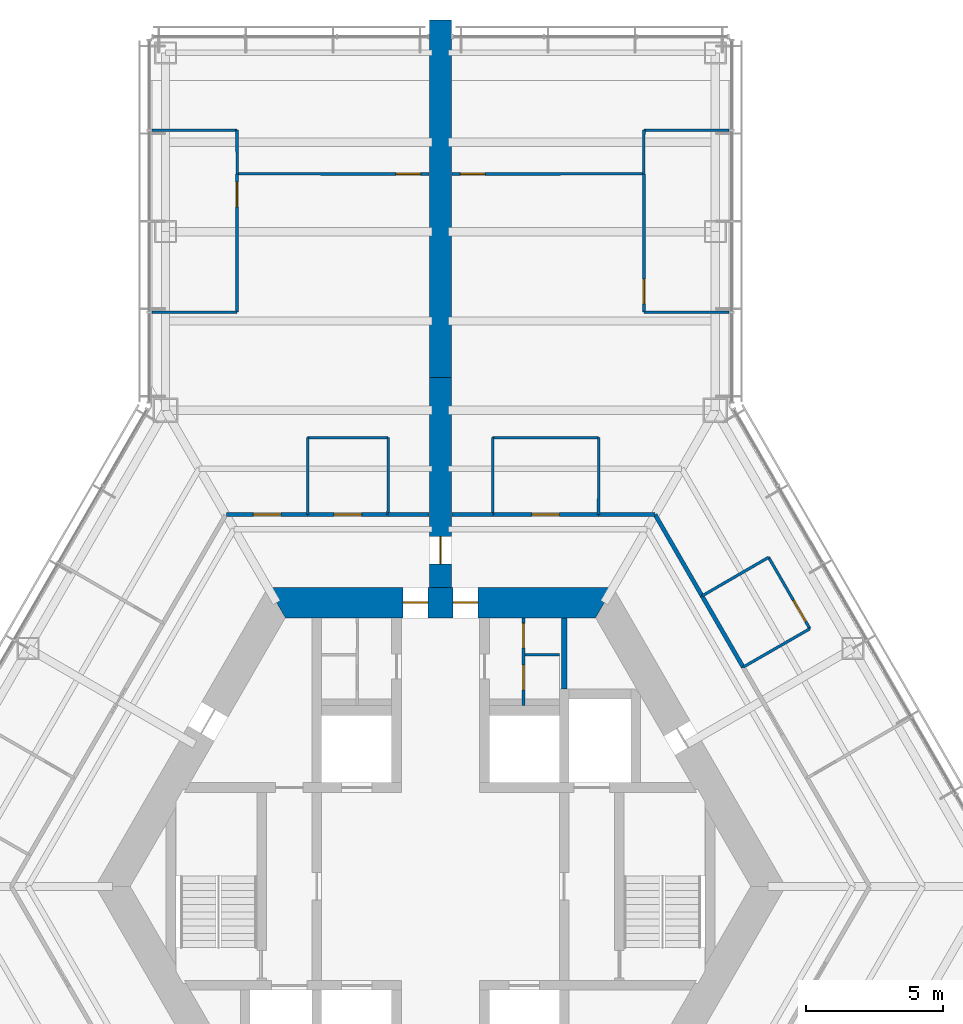
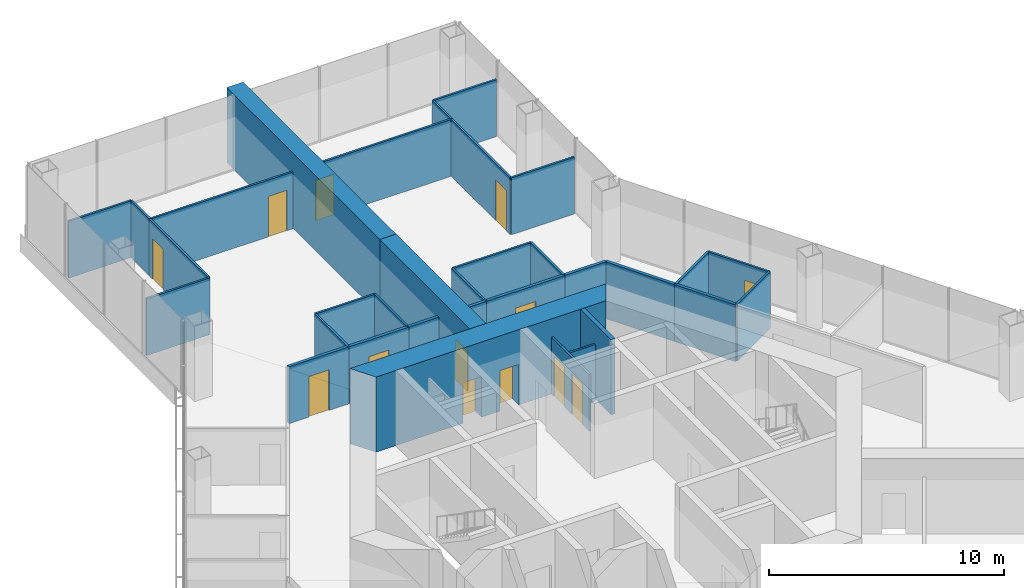
# One storey, part 15 of 18: 33 walls, 13 doors, 13 openings.
"""IFC4 building model written with IfcOpenShell, lengths in metres."""

from ifc_helpers import new_model, si_unit, direction, frame, frame_2d, origin, place, context, subcontext, project, spatial, polyline, rectangle, outline, extrude, material, layer, layer_set, type_object, element, fill, save


model = new_model("IFC4")

# Units and contexts
model_context = context("Model", 3, precision=1e-05, world=origin(), true_north=direction((0.0, 1.0)))
body_context = subcontext(model_context, "Body", "Model", "MODEL_VIEW")
ifc_project = project(units=[si_unit("LENGTHUNIT", "METRE"), si_unit("AREAUNIT", "SQUARE_METRE"), si_unit("VOLUMEUNIT", "CUBIC_METRE"), si_unit("PLANEANGLEUNIT", "RADIAN"), si_unit("MASSUNIT", "GRAM", prefix="KILO")], contexts=[model_context])

# Site, building, storey
site_placement = place(None, origin())
site = spatial("IfcSite", under=ifc_project, at=site_placement, CompositionType="ELEMENT")
building_placement = place(site_placement, origin())
building = spatial("IfcBuilding", under=site, at=building_placement, Name="Kasaneha Research Tower", CompositionType="ELEMENT")
storey_placement = place(building_placement, frame((0.0, 0.0, 115.800048828125)))
storey = spatial("IfcBuildingStorey", under=building, at=storey_placement, Name="L29", CompositionType="ELEMENT", Elevation=115.800048828125)

# Wall, openings, doors
ifc_material_1 = material(Name="Concrete Fc80", Category="concrete")
ifc_layer_1 = layer(ifc_material_1, 1.10009765625)
ifc_layer_set_1 = layer_set([ifc_layer_1], Name="Core wall 1100 Fc80")
wall_type_1 = type_object("IfcWallType", Name="Core wall 1100 Fc80", PredefinedType="SHEAR", material=ifc_layer_set_1)
wall_1_placement = place(storey_placement, frame((5.961181640625, 10.324951171875, 0.0), z_axis=(0.0, 0.0, 1.0), x_axis=(-1.0, 0.0, 0.0)))
wall_1 = element("IfcWall", 1, at=wall_1_placement, inside=storey, type_object=wall_type_1, Name="Core wall 090 L29", PredefinedType="SHEAR", context=body_context, shape_type="SweptSolid", body=[
    extrude(outline(polyline([(-0.317626953125, -0.550048828125), (4.5986328125, -0.550048828125), (5.49853515625, -0.550048828125), (6.423583984375, -0.550048828125), (7.323486328125, -0.550048828125), (12.239990234375, -0.550048828125), (11.604736328125, 0.550048828125), (7.323486328125, 0.550048828125), (6.423583984375, 0.550048828125), (5.49853515625, 0.550048828125), (4.5986328125, 0.550048828125), (0.317626953125, 0.550048828125), (-0.317626953125, -0.550048828125)])), origin(), (0.0, 0.0, 1.0), 3.89990234375),
])
opening_1_placement = place(wall_1_placement, frame((6.423583984375, 0.0, 0.0)))
opening_1 = element("IfcOpeningElement", 2, at=opening_1_placement, cuts=wall_1, Name="Opening L29-D01", PredefinedType="OPENING", context=body_context, shape_type="SweptSolid", body=[
    extrude(rectangle(XDim=0.89990234375, YDim=2.10009765625, at=frame_2d((0.449951171875, 1.050048828125))), frame((0.0, 0.56005859375, 0.0), z_axis=(0.0, -1.0, 0.0), x_axis=(1.0, 0.0, 0.0)), (0.0, 0.0, 1.0), 1.1201171875),
])
opening_2_placement = place(wall_1_placement, frame((4.5986328125, 0.0, 0.0)))
opening_2 = element("IfcOpeningElement", 3, at=opening_2_placement, cuts=wall_1, Name="Opening L29-D02", PredefinedType="OPENING", context=body_context, shape_type="SweptSolid", body=[
    extrude(rectangle(XDim=0.89990234375, YDim=2.10009765625, at=frame_2d((0.449951171875, 1.050048828125))), frame((0.0, 0.56005859375, 0.0), z_axis=(0.0, -1.0, 0.0), x_axis=(1.0, 0.0, 0.0)), (0.0, 0.0, 1.0), 1.1201171875),
])
ifc_material_2 = material(Name="Steel", Category="steel")
door_type_1 = type_object("IfcDoorType", Name="Toilet door FD20 900x2100", OperationType="NOTDEFINED", PredefinedType="DOOR", material=ifc_material_2)
door_1_placement = place(opening_1_placement, origin())
door_1 = element("IfcDoor", 4, at=door_1_placement, inside=storey, type_object=door_type_1, Name="Core door north 1 L29-D01", OperationType="SINGLE_SWING_RIGHT", OverallHeight=2.10009765625, OverallWidth=0.89990234375, PredefinedType="DOOR", context=body_context, shape_type="SweptSolid", body=[
    extrude(rectangle(XDim=0.89990234375, YDim=2.10009765625, at=frame_2d((0.449951171875, 1.050048828125))), frame((0.0, 0.02490234375, 0.0), z_axis=(0.0, -1.0, 0.0), x_axis=(1.0, 0.0, 0.0)), (0.0, 0.0, 1.0), 0.050048828125),
])
fill(opening_1, door_1)
door_2_placement = place(opening_2_placement, origin())
door_2 = element("IfcDoor", 5, at=door_2_placement, inside=storey, type_object=door_type_1, Name="Core door north 2 L29-D02", OperationType="SINGLE_SWING_LEFT", OverallHeight=2.10009765625, OverallWidth=0.89990234375, PredefinedType="DOOR", context=body_context, shape_type="SweptSolid", body=[
    extrude(rectangle(XDim=0.89990234375, YDim=2.10009765625, at=frame_2d((0.449951171875, 1.050048828125))), frame((0.0, 0.02490234375, 0.0), z_axis=(0.0, -1.0, 0.0), x_axis=(1.0, 0.0, 0.0)), (0.0, 0.0, 1.0), 0.050048828125),
])
fill(opening_2, door_2)

ifc_material_3 = material(Name="Gypsum board on steel studs, one layer each side", Category="steel")
ifc_layer_2 = layer(ifc_material_3, 0.10009765625)
ifc_layer_set_2 = layer_set([ifc_layer_2], Name="Office partition 100")
wall_type_2 = type_object("IfcWallType", Name="Office partition 100", PredefinedType="PARTITIONING", material=ifc_layer_set_2)
wall_2_placement = place(storey_placement, frame((3.02490234375, 6.574951171875, 0.0), z_axis=(0.0, 0.0, 1.0), x_axis=(0.0, 1.0, 0.0)))
wall_2 = element("IfcWall", 6, at=wall_2_placement, inside=storey, type_object=wall_type_2, Name="Office partition TBF1 L29", PredefinedType="PARTITIONING", context=body_context, shape_type="SweptSolid", body=[
    extrude(rectangle(XDim=3.199951171875, YDim=0.10009765625, at=frame_2d((1.60009765625, 0.0))), origin(), (0.0, 0.0, 1.0), 2.949951171875),
])
opening_3_placement = place(wall_2_placement, frame((0.574951171875, 0.0, 0.0)))
opening_3 = element("IfcOpeningElement", 7, at=opening_3_placement, cuts=wall_2, Name="Opening L29-D22", PredefinedType="OPENING", context=body_context, shape_type="SweptSolid", body=[
    extrude(rectangle(XDim=0.89990234375, YDim=2.10009765625, at=frame_2d((0.449951171875, 1.050048828125))), frame((0.0, 0.06005859375, 0.0), z_axis=(0.0, -1.0, 0.0), x_axis=(1.0, 0.0, 0.0)), (0.0, 0.0, 1.0), 0.1201171875),
])
opening_4_placement = place(wall_2_placement, frame((2.10009765625, 0.0, 0.0)))
opening_4 = element("IfcOpeningElement", 8, at=opening_4_placement, cuts=wall_2, Name="Opening L29-D23", PredefinedType="OPENING", context=body_context, shape_type="SweptSolid", body=[
    extrude(rectangle(XDim=0.89990234375, YDim=2.10009765625, at=frame_2d((0.449951171875, 1.050048828125))), frame((0.0, 0.06005859375, 0.0), z_axis=(0.0, -1.0, 0.0), x_axis=(1.0, 0.0, 0.0)), (0.0, 0.0, 1.0), 0.1201171875),
])
ifc_material_4 = material(Name="Steel", Category="steel")
door_type_2 = type_object("IfcDoorType", Name="Toilet lobby door FD30 900x2100", OperationType="NOTDEFINED", PredefinedType="DOOR", material=ifc_material_4)
door_3_placement = place(opening_3_placement, origin())
door_3 = element("IfcDoor", 9, at=door_3_placement, inside=storey, type_object=door_type_2, Name="Women's WC door L29-D22", OperationType="SINGLE_SWING_RIGHT", OverallHeight=2.10009765625, OverallWidth=0.89990234375, PredefinedType="DOOR", context=body_context, shape_type="SweptSolid", body=[
    extrude(rectangle(XDim=0.89990234375, YDim=2.10009765625, at=frame_2d((0.449951171875, 1.050048828125))), frame((0.0, 0.02490234375, 0.0), z_axis=(0.0, -1.0, 0.0), x_axis=(1.0, 0.0, 0.0)), (0.0, 0.0, 1.0), 0.050048828125),
])
fill(opening_3, door_3)
door_4_placement = place(opening_4_placement, origin())
door_4 = element("IfcDoor", 10, at=door_4_placement, inside=storey, type_object=door_type_2, Name="Parents' room door L29-D23", OperationType="SINGLE_SWING_RIGHT", OverallHeight=2.10009765625, OverallWidth=0.89990234375, PredefinedType="DOOR", context=body_context, shape_type="SweptSolid", body=[
    extrude(rectangle(XDim=0.89990234375, YDim=2.10009765625, at=frame_2d((0.449951171875, 1.050048828125))), frame((0.0, 0.02490234375, 0.0), z_axis=(0.0, -1.0, 0.0), x_axis=(1.0, 0.0, 0.0)), (0.0, 0.0, 1.0), 0.050048828125),
])
fill(opening_4, door_4)

# Walls
wall_3_placement = place(storey_placement, frame((3.074951171875, 8.425048828125, 0.0), z_axis=(0.0, 0.0, 1.0), x_axis=(1.0, 0.0, 0.0)))
element("IfcWall", 11, at=wall_3_placement, inside=storey, type_object=wall_type_2, Name="Office partition TBF2 L29", PredefinedType="PARTITIONING", context=body_context, shape_type="SweptSolid", body=[
    extrude(rectangle(XDim=1.25, YDim=0.10009765625, at=frame_2d((0.625, 0.0))), origin(), (0.0, 0.0, 1.0), 2.949951171875),
])
wall_4_placement = place(storey_placement, frame((1.89990234375, 16.324951171875, 0.0), z_axis=(0.0, 0.0, 1.0), x_axis=(1.0, 0.0, 0.0)))
element("IfcWall", 12, at=wall_4_placement, inside=storey, type_object=wall_type_2, Name="Office partition FAE08 L29", PredefinedType="PARTITIONING", context=body_context, shape_type="SweptSolid", body=[
    extrude(rectangle(XDim=3.857177734375, YDim=0.10009765625, at=frame_2d((1.9287109375, 0.0))), origin(), (0.0, 0.0, 1.0), 2.949951171875),
])
for number, where, z_axis, x_axis, name in (
    (13, (1.904541015625, 13.52490234375, 0.0), (0.0, 0.0, 1.0), (-0.001656637364, 0.999998627775, 0.0), "Office partition FAE09 L29"),
    (14, (5.757080078125, 16.324951171875, 0.0), (0.0, 0.0, 1.0), (-0.001656637364, -0.999998627775, 0.0), "Office partition FAE10 L29"),
    (15, (9.51513671875, 10.569091796875, 0.0), (0.0, 0.0, 1.0), (0.865255114713, 0.501331812737, 0.0), "Office partition FAE11 L29"),
):
    element("IfcWall", number, at=place(storey_placement, frame(where, z_axis=z_axis, x_axis=x_axis)), inside=storey, type_object=wall_type_2, Name=name, PredefinedType="PARTITIONING", context=body_context, shape_type="SweptSolid", body=[
        extrude(rectangle(XDim=2.800048828125, YDim=0.10009765625, at=frame_2d((1.39990234375, 0.0))), origin(), (0.0, 0.0, 1.0), 2.949951171875),
    ])

# Wall, opening, door
wall_5_placement = place(storey_placement, frame((11.93798828125, 11.972900390625, 0.0), z_axis=(0.0, 0.0, 1.0), x_axis=(0.50002537861, -0.866010750942, 0.0)))
wall_5 = element("IfcWall", 16, at=wall_5_placement, inside=storey, type_object=wall_type_2, Name="Office partition FAE12 L29", PredefinedType="PARTITIONING", context=body_context, shape_type="SweptSolid", body=[
    extrude(rectangle(XDim=2.999755859375, YDim=0.10009765625, at=frame_2d((1.5, 0.0))), origin(), (0.0, 0.0, 1.0), 2.949951171875),
])
opening_5_placement = place(wall_5_placement, frame((1.800048828125, 0.0, 0.0)))
opening_5 = element("IfcOpeningElement", 17, at=opening_5_placement, cuts=wall_5, Name="Opening L29-D26", PredefinedType="OPENING", context=body_context, shape_type="SweptSolid", body=[
    extrude(rectangle(XDim=0.89990234375, YDim=2.10009765625, at=frame_2d((0.449951171875, 1.050048828125))), frame((0.0, 0.06005859375, 0.0), z_axis=(0.0, -1.0, 0.0), x_axis=(1.0, 0.0, 0.0)), (0.0, 0.0, 1.0), 0.1201171875),
])
ifc_material_5 = material(Name="Timber veneer", Category="wood")
door_type_3 = type_object("IfcDoorType", Name="Office door 900x2100", OperationType="SINGLE_SWING_LEFT", PredefinedType="DOOR", material=ifc_material_5)
door_5_placement = place(opening_5_placement, origin())
door_5 = element("IfcDoor", 18, at=door_5_placement, inside=storey, type_object=door_type_3, Name="Pantry door L29-D26", OperationType="SINGLE_SWING_RIGHT", OverallHeight=2.10009765625, OverallWidth=0.89990234375, PredefinedType="DOOR", context=body_context, shape_type="SweptSolid", body=[
    extrude(rectangle(XDim=0.89990234375, YDim=2.10009765625, at=frame_2d((0.449951171875, 1.050048828125))), frame((0.0, 0.02490234375, 0.0), z_axis=(0.0, -1.0, 0.0), x_axis=(1.0, 0.0, 0.0)), (0.0, 0.0, 1.0), 0.050048828125),
])
fill(opening_5, door_5)

# Walls
wall_6_placement = place(storey_placement, frame((13.43798828125, 9.375, 0.0), z_axis=(0.0, 0.0, 1.0), x_axis=(-0.866817750494, -0.498625097071, 0.0)))
element("IfcWall", 19, at=wall_6_placement, inside=storey, type_object=wall_type_2, Name="Office partition FAE13 L29", PredefinedType="PARTITIONING", context=body_context, shape_type="SweptSolid", body=[
    extrude(rectangle(XDim=2.80029296875, YDim=0.10009765625, at=frame_2d((1.400146484375, 0.0))), origin(), (0.0, 0.0, 1.0), 2.949951171875),
])
wall_7_placement = place(storey_placement, frame((7.39990234375, 27.5107421875, 0.0), z_axis=(0.0, 0.0, 1.0), x_axis=(-0.003068411453, -0.999995292414, 0.0)))
element("IfcWall", 20, at=wall_7_placement, inside=storey, type_object=wall_type_2, Name="Office partition FAE14 L29", PredefinedType="PARTITIONING", context=body_context, shape_type="SweptSolid", body=[
    extrude(rectangle(XDim=1.59130859375, YDim=0.10009765625, at=frame_2d((0.795654296875, 0.0))), origin(), (0.0, 0.0, 1.0), 2.949951171875),
])
wall_8_placement = place(storey_placement, frame((10.5, 27.510986328125, 0.0), z_axis=(0.0, 0.0, 1.0), x_axis=(-0.999999996899, -7.8752559e-05, 0.0)))
element("IfcWall", 21, at=wall_8_placement, inside=storey, type_object=wall_type_2, Name="Office partition FAE15 L29", PredefinedType="PARTITIONING", context=body_context, shape_type="SweptSolid", body=[
    extrude(rectangle(XDim=3.10009765625, YDim=0.10009765625, at=frame_2d((1.550048828125, 0.0))), origin(), (0.0, 0.0, 1.0), 2.949951171875),
])

# Wall, opening, door
wall_9_placement = place(storey_placement, frame((7.399658203125, 25.924560546875, 0.0), z_axis=(0.0, 0.0, 1.0), x_axis=(-0.999999823205, -0.000594634195, 0.0)))
wall_9 = element("IfcWall", 22, at=wall_9_placement, inside=storey, type_object=wall_type_2, Name="Office partition FAE16 L29", PredefinedType="PARTITIONING", context=body_context, shape_type="SweptSolid", body=[
    extrude(rectangle(XDim=6.979736328125, YDim=0.10009765625, at=frame_2d((3.48974609375, 0.0))), origin(), (0.0, 0.0, 1.0), 2.949951171875),
])
opening_6_placement = place(wall_9_placement, frame((5.779541015625, 0.0, 0.0)))
opening_6 = element("IfcOpeningElement", 23, at=opening_6_placement, cuts=wall_9, Name="Opening L29-D27", PredefinedType="OPENING", context=body_context, shape_type="SweptSolid", body=[
    extrude(rectangle(XDim=0.89990234375, YDim=2.10009765625, at=frame_2d((0.449951171875, 1.050048828125))), frame((0.0, 0.06005859375, 0.0), z_axis=(0.0, -1.0, 0.0), x_axis=(1.0, 0.0, 0.0)), (0.0, 0.0, 1.0), 0.1201171875),
])
door_6_placement = place(opening_6_placement, origin())
door_6 = element("IfcDoor", 24, at=door_6_placement, inside=storey, type_object=door_type_3, Name="Board meeting room door L29-D27", OperationType="SINGLE_SWING_RIGHT", OverallHeight=2.10009765625, OverallWidth=0.89990234375, PredefinedType="DOOR", context=body_context, shape_type="SweptSolid", body=[
    extrude(rectangle(XDim=0.89990234375, YDim=2.10009765625, at=frame_2d((0.449951171875, 1.050048828125))), frame((0.0, 0.02490234375, 0.0), z_axis=(0.0, -1.0, 0.0), x_axis=(1.0, 0.0, 0.0)), (0.0, 0.0, 1.0), 0.050048828125),
])
fill(opening_6, door_6)

wall_10_placement = place(storey_placement, frame((7.39990234375, 20.89111328125, 0.0), z_axis=(0.0, 0.0, 1.0), x_axis=(0.0, 1.0, 0.0)))
wall_10 = element("IfcWall", 25, at=wall_10_placement, inside=storey, type_object=wall_type_2, Name="Office partition FAE18 L29", PredefinedType="PARTITIONING", context=body_context, shape_type="SweptSolid", body=[
    extrude(rectangle(XDim=5.033447265625, YDim=0.10009765625, at=frame_2d((2.5166015625, 0.0))), origin(), (0.0, 0.0, 1.0), 2.949951171875),
])
opening_7_placement = place(wall_10_placement, frame((0.300048828125, 0.0, 0.0)))
opening_7 = element("IfcOpeningElement", 26, at=opening_7_placement, cuts=wall_10, Name="Opening L29-D29", PredefinedType="OPENING", context=body_context, shape_type="SweptSolid", body=[
    extrude(rectangle(XDim=0.89990234375, YDim=2.10009765625, at=frame_2d((0.449951171875, 1.050048828125))), frame((0.0, 0.06005859375, 0.0), z_axis=(0.0, -1.0, 0.0), x_axis=(1.0, 0.0, 0.0)), (0.0, 0.0, 1.0), 0.1201171875),
])
door_7_placement = place(opening_7_placement, origin())
door_7 = element("IfcDoor", 27, at=door_7_placement, inside=storey, type_object=door_type_3, Name="Manager's office door L29-D29", OperationType="SINGLE_SWING_LEFT", OverallHeight=2.10009765625, OverallWidth=0.89990234375, PredefinedType="DOOR", context=body_context, shape_type="SweptSolid", body=[
    extrude(rectangle(XDim=0.89990234375, YDim=2.10009765625, at=frame_2d((0.449951171875, 1.050048828125))), frame((0.0, 0.02490234375, 0.0), z_axis=(0.0, -1.0, 0.0), x_axis=(1.0, 0.0, 0.0)), (0.0, 0.0, 1.0), 0.050048828125),
])
fill(opening_7, door_7)

# Walls
wall_11_placement = place(storey_placement, frame((10.5, 20.89111328125, 0.0), z_axis=(0.0, 0.0, 1.0), x_axis=(-1.0, 0.0, 0.0)))
element("IfcWall", 28, at=wall_11_placement, inside=storey, type_object=wall_type_2, Name="Office partition FAE19 L29", PredefinedType="PARTITIONING", context=body_context, shape_type="SweptSolid", body=[
    extrude(rectangle(XDim=3.10009765625, YDim=0.10009765625, at=frame_2d((1.550048828125, 0.0))), origin(), (0.0, 0.0, 1.0), 2.949951171875),
])
wall_12_placement = place(storey_placement, frame((-4.8291015625, 16.324951171875, 0.0), z_axis=(0.0, 0.0, 1.0), x_axis=(1.0, 0.0, 0.0)))
element("IfcWall", 29, at=wall_12_placement, inside=storey, type_object=wall_type_2, Name="Office partition FAW04 L29", PredefinedType="PARTITIONING", context=body_context, shape_type="SweptSolid", body=[
    extrude(rectangle(XDim=2.92919921875, YDim=0.10009765625, at=frame_2d((1.464599609375, 0.0))), origin(), (0.0, 0.0, 1.0), 2.949951171875),
])
for number, where, z_axis, x_axis, name in (
    (30, (-4.824462890625, 13.52490234375, 0.0), (0.0, 0.0, 1.0), (-0.001656637364, 0.999998627775, 0.0), "Office partition FAW05 L29"),
    (31, (-1.89990234375, 16.324951171875, 0.0), (0.0, 0.0, 1.0), (-0.001656637364, -0.999998627775, 0.0), "Office partition FAW06 L29"),
):
    element("IfcWall", number, at=place(storey_placement, frame(where, z_axis=z_axis, x_axis=x_axis)), inside=storey, type_object=wall_type_2, Name=name, PredefinedType="PARTITIONING", context=body_context, shape_type="SweptSolid", body=[
        extrude(rectangle(XDim=2.800048828125, YDim=0.10009765625, at=frame_2d((1.39990234375, 0.0))), origin(), (0.0, 0.0, 1.0), 2.949951171875),
    ])
wall_13_placement = place(storey_placement, frame((-7.39990234375, 27.5107421875, 0.0), z_axis=(0.0, 0.0, 1.0), x_axis=(-0.999999996899, 7.8752559e-05, 0.0)))
element("IfcWall", 32, at=wall_13_placement, inside=storey, type_object=wall_type_2, Name="Office partition FAW07 L29", PredefinedType="PARTITIONING", context=body_context, shape_type="SweptSolid", body=[
    extrude(rectangle(XDim=3.10009765625, YDim=0.10009765625, at=frame_2d((1.550048828125, 0.0))), origin(), (0.0, 0.0, 1.0), 2.949951171875),
])
wall_14_placement = place(storey_placement, frame((-7.39501953125, 25.91943359375, 0.0), z_axis=(0.0, 0.0, 1.0), x_axis=(-0.003068411453, 0.999995292414, 0.0)))
element("IfcWall", 33, at=wall_14_placement, inside=storey, type_object=wall_type_2, Name="Office partition FAW08 L29", PredefinedType="PARTITIONING", context=body_context, shape_type="SweptSolid", body=[
    extrude(rectangle(XDim=1.59130859375, YDim=0.10009765625, at=frame_2d((0.795654296875, 0.0))), origin(), (0.0, 0.0, 1.0), 2.949951171875),
])

# Wall, opening, door
wall_15_placement = place(storey_placement, frame((-0.419921875, 25.92041015625, 0.0), z_axis=(0.0, 0.0, 1.0), x_axis=(-0.999999823205, 0.000594634195, 0.0)))
wall_15 = element("IfcWall", 34, at=wall_15_placement, inside=storey, type_object=wall_type_2, Name="Office partition FAW09 L29", PredefinedType="PARTITIONING", context=body_context, shape_type="SweptSolid", body=[
    extrude(rectangle(XDim=6.979736328125, YDim=0.10009765625, at=frame_2d((3.48974609375, 0.0))), origin(), (0.0, 0.0, 1.0), 2.949951171875),
])
opening_8_placement = place(wall_15_placement, frame((0.300048828125, 0.0, 0.0)))
opening_8 = element("IfcOpeningElement", 35, at=opening_8_placement, cuts=wall_15, Name="Opening L29-D32", PredefinedType="OPENING", context=body_context, shape_type="SweptSolid", body=[
    extrude(rectangle(XDim=0.89990234375, YDim=2.10009765625, at=frame_2d((0.449951171875, 1.050048828125))), frame((0.0, 0.06005859375, 0.0), z_axis=(0.0, -1.0, 0.0), x_axis=(1.0, 0.0, 0.0)), (0.0, 0.0, 1.0), 0.1201171875),
])
door_8_placement = place(opening_8_placement, origin())
door_8 = element("IfcDoor", 36, at=door_8_placement, inside=storey, type_object=door_type_3, Name="Large meeting room door L29-D32", OperationType="SINGLE_SWING_LEFT", OverallHeight=2.10009765625, OverallWidth=0.89990234375, PredefinedType="DOOR", context=body_context, shape_type="SweptSolid", body=[
    extrude(rectangle(XDim=0.89990234375, YDim=2.10009765625, at=frame_2d((0.449951171875, 1.050048828125))), frame((0.0, 0.02490234375, 0.0), z_axis=(0.0, -1.0, 0.0), x_axis=(1.0, 0.0, 0.0)), (0.0, 0.0, 1.0), 0.050048828125),
])
fill(opening_8, door_8)

# Wall
wall_16_placement = place(storey_placement, frame((-7.39990234375, 20.89111328125, 0.0), z_axis=(0.0, 0.0, 1.0), x_axis=(-1.0, 0.0, 0.0)))
element("IfcWall", 37, at=wall_16_placement, inside=storey, type_object=wall_type_2, Name="Office partition FAW10 L29", PredefinedType="PARTITIONING", context=body_context, shape_type="SweptSolid", body=[
    extrude(rectangle(XDim=3.10009765625, YDim=0.10009765625, at=frame_2d((1.550048828125, 0.0))), origin(), (0.0, 0.0, 1.0), 2.949951171875),
])

# Wall, opening, door
wall_17_placement = place(storey_placement, frame((-7.39990234375, 25.924560546875, 0.0), z_axis=(0.0, 0.0, 1.0), x_axis=(0.0, -1.0, 0.0)))
wall_17 = element("IfcWall", 38, at=wall_17_placement, inside=storey, type_object=wall_type_2, Name="Office partition FAW11 L29", PredefinedType="PARTITIONING", context=body_context, shape_type="SweptSolid", body=[
    extrude(rectangle(XDim=5.033447265625, YDim=0.10009765625, at=frame_2d((2.5166015625, 0.0))), origin(), (0.0, 0.0, 1.0), 2.949951171875),
])
opening_9_placement = place(wall_17_placement, frame((0.300048828125, 0.0, 0.0)))
opening_9 = element("IfcOpeningElement", 39, at=opening_9_placement, cuts=wall_17, Name="Opening L29-D33", PredefinedType="OPENING", context=body_context, shape_type="SweptSolid", body=[
    extrude(rectangle(XDim=0.89990234375, YDim=2.10009765625, at=frame_2d((0.449951171875, 1.050048828125))), frame((0.0, 0.06005859375, 0.0), z_axis=(0.0, -1.0, 0.0), x_axis=(1.0, 0.0, 0.0)), (0.0, 0.0, 1.0), 0.1201171875),
])
door_9_placement = place(opening_9_placement, origin())
door_9 = element("IfcDoor", 40, at=door_9_placement, inside=storey, type_object=door_type_3, Name="Manager's office door L29-D33", OperationType="SINGLE_SWING_LEFT", OverallHeight=2.10009765625, OverallWidth=0.89990234375, PredefinedType="DOOR", context=body_context, shape_type="SweptSolid", body=[
    extrude(rectangle(XDim=0.89990234375, YDim=2.10009765625, at=frame_2d((0.449951171875, 1.050048828125))), frame((0.0, 0.02490234375, 0.0), z_axis=(0.0, -1.0, 0.0), x_axis=(1.0, 0.0, 0.0)), (0.0, 0.0, 1.0), 0.050048828125),
])
fill(opening_9, door_9)

# Wall
ifc_material_6 = material(Name="Concrete block", Category="concrete")
ifc_layer_3 = layer(ifc_material_6, 0.199951171875)
ifc_layer_set_3 = layer_set([ifc_layer_3], Name="Riser enclosure wall 200")
wall_type_3 = type_object("IfcWallType", Name="Riser enclosure wall 200", PredefinedType="STANDARD", material=ifc_layer_set_3)
wall_18_placement = place(storey_placement, frame((4.5, 7.175048828125, 0.0), z_axis=(0.0, 0.0, 1.0), x_axis=(0.0, 1.0, 0.0)))
element("IfcWall", 41, at=wall_18_placement, inside=storey, type_object=wall_type_3, Name="Riser enclosure wall L29", PredefinedType="STANDARD", context=body_context, shape_type="SweptSolid", body=[
    extrude(rectangle(XDim=2.599853515625, YDim=0.199951171875, at=frame_2d((1.2998046875, 0.0))), origin(), (0.0, 0.0, 1.0), 3.89990234375),
])

# Wall, opening, door
ifc_material_7 = material(Name="Concrete Fc80", Category="concrete")
ifc_layer_4 = layer(ifc_material_7, 0.800048828125)
ifc_layer_set_4 = layer_set([ifc_layer_4], Name="Spine wall 800 Fc80")
wall_type_4 = type_object("IfcWallType", Name="Spine wall 800 Fc80", PredefinedType="SHEAR", material=ifc_layer_set_4)
wall_19_placement = place(storey_placement, frame((0.0, 10.875, 0.0), z_axis=(0.0, 0.0, 1.0), x_axis=(0.0, 1.0, 0.0)))
wall_19 = element("IfcWall", 42, at=wall_19_placement, inside=storey, type_object=wall_type_4, Name="Spine wall A L29", PredefinedType="SHEAR", context=body_context, shape_type="SweptSolid", body=[
    extrude(rectangle(XDim=7.6455078125, YDim=0.800048828125, at=frame_2d((3.82275390625, 0.0))), origin(), (0.0, 0.0, 1.0), 3.89990234375),
])
opening_10_placement = place(wall_19_placement, frame((0.85009765625, 0.0, 0.0)))
opening_10 = element("IfcOpeningElement", 43, at=opening_10_placement, cuts=wall_19, Name="Opening L29-D17", PredefinedType="OPENING", context=body_context, shape_type="SweptSolid", body=[
    extrude(rectangle(XDim=1.0, YDim=2.10009765625, at=frame_2d((0.5, 1.050048828125))), frame((0.0, 0.41015625, 0.0), z_axis=(0.0, -1.0, 0.0), x_axis=(1.0, 0.0, 0.0)), (0.0, 0.0, 1.0), 0.820068359375),
])
ifc_material_8 = material(Name="Steel", Category="steel")
door_type_4 = type_object("IfcDoorType", Name="Specified fire door FD60 1000x2100", OperationType="NOTDEFINED", PredefinedType="DOOR", material=ifc_material_8)
door_10_placement = place(opening_10_placement, origin())
door_10 = element("IfcDoor", 44, at=door_10_placement, inside=storey, type_object=door_type_4, Name="Spine doorway A L29-D17", OperationType="SINGLE_SWING_LEFT", OverallHeight=2.10009765625, OverallWidth=1.0, PredefinedType="DOOR", context=body_context, shape_type="SweptSolid", body=[
    extrude(rectangle(XDim=1.0, YDim=2.10009765625, at=frame_2d((0.5, 1.050048828125))), frame((0.0, 0.02490234375, 0.0), z_axis=(0.0, -1.0, 0.0), x_axis=(1.0, 0.0, 0.0)), (0.0, 0.0, 1.0), 0.050048828125),
])
fill(opening_10, door_10)

# Wall
wall_20_placement = place(storey_placement, frame((0.0, 18.5205078125, 0.0), z_axis=(0.0, 0.0, 1.0), x_axis=(0.0, 1.0, 0.0)))
element("IfcWall", 45, at=wall_20_placement, inside=storey, type_object=wall_type_4, Name="Spine wall A wing L29", PredefinedType="SHEAR", context=body_context, shape_type="SweptSolid", body=[
    extrude(rectangle(XDim=13.0, YDim=0.800048828125, at=frame_2d((6.5, 0.0))), origin(), (0.0, 0.0, 1.0), 3.89990234375),
])

# Wall, opening, door
ifc_material_9 = material(Name="Gypsum board on steel studs, two layers each side", Category="steel")
ifc_layer_5 = layer(ifc_material_9, 0.14990234375)
ifc_layer_set_5 = layer_set([ifc_layer_5], Name="Suite partition 150")
wall_type_5 = type_object("IfcWallType", Name="Suite partition 150", PredefinedType="PARTITIONING", material=ifc_layer_set_5)
wall_21_placement = place(storey_placement, frame((1.89501953125, 13.52490234375, 0.0), z_axis=(0.0, 0.0, 1.0), x_axis=(1.0, 0.0, 0.0)))
wall_21 = element("IfcWall", 46, at=wall_21_placement, inside=storey, type_object=wall_type_5, Name="Suite partition FAE01 L29", PredefinedType="PARTITIONING", context=body_context, shape_type="SweptSolid", body=[
    extrude(rectangle(XDim=3.866943359375, YDim=0.14990234375, at=frame_2d((1.93359375, 0.0))), origin(), (0.0, 0.0, 1.0), 2.949951171875),
])
opening_11_placement = place(wall_21_placement, frame((1.43359375, 0.0, 0.0)))
opening_11 = element("IfcOpeningElement", 47, at=opening_11_placement, cuts=wall_21, Name="Opening L29-D24", PredefinedType="OPENING", context=body_context, shape_type="SweptSolid", body=[
    extrude(rectangle(XDim=1.0, YDim=2.10009765625, at=frame_2d((0.5, 1.050048828125))), frame((0.0, 0.0849609375, 0.0), z_axis=(0.0, -1.0, 0.0), x_axis=(1.0, 0.0, 0.0)), (0.0, 0.0, 1.0), 0.169921875),
])
ifc_material_10 = material(Name="Steel", Category="steel")
door_type_5 = type_object("IfcDoorType", Name="Suite entrance door FD60 1000x2100", OperationType="NOTDEFINED", PredefinedType="DOOR", material=ifc_material_10)
door_11_placement = place(opening_11_placement, origin())
door_11 = element("IfcDoor", 48, at=door_11_placement, inside=storey, type_object=door_type_5, Name="Suite entrance door L29-D24", OperationType="SINGLE_SWING_LEFT", OverallHeight=2.10009765625, OverallWidth=1.0, PredefinedType="DOOR", context=body_context, shape_type="SweptSolid", body=[
    extrude(rectangle(XDim=1.0, YDim=2.10009765625, at=frame_2d((0.5, 1.050048828125))), frame((0.0, 0.02490234375, 0.0), z_axis=(0.0, -1.0, 0.0), x_axis=(1.0, 0.0, 0.0)), (0.0, 0.0, 1.0), 0.050048828125),
])
fill(opening_11, door_11)

# Walls
wall_22_placement = place(storey_placement, frame((9.510498046875, 10.577392578125, 0.0), z_axis=(0.0, 0.0, 1.0), x_axis=(0.499977562641, -0.866038357612, 0.0)))
element("IfcWall", 49, at=wall_22_placement, inside=storey, type_object=wall_type_5, Name="Suite partition FAE02 L29", PredefinedType="PARTITIONING", context=body_context, shape_type="SweptSolid", body=[
    extrude(rectangle(XDim=3.010009765625, YDim=0.14990234375, at=frame_2d((1.5048828125, 0.0))), origin(), (0.0, 0.0, 1.0), 2.949951171875),
])
wall_23_placement = place(storey_placement, frame((0.419921875, 13.52490234375, 0.0), z_axis=(0.0, 0.0, 1.0), x_axis=(1.0, 0.0, 0.0)))
element("IfcWall", 50, at=wall_23_placement, inside=storey, type_object=wall_type_5, Name="Suite partition FAE04 L29", PredefinedType="PARTITIONING", context=body_context, shape_type="SweptSolid", body=[
    extrude(rectangle(XDim=1.484619140625, YDim=0.14990234375, at=frame_2d((0.7421875, 0.0))), origin(), (0.0, 0.0, 1.0), 2.949951171875),
])
wall_24_placement = place(storey_placement, frame((5.75244140625, 13.52490234375, 0.0), z_axis=(0.0, 0.0, 1.0), x_axis=(1.0, 0.0, 0.0)))
element("IfcWall", 51, at=wall_24_placement, inside=storey, type_object=wall_type_5, Name="Suite partition FAE05 L29", PredefinedType="PARTITIONING", context=body_context, shape_type="SweptSolid", body=[
    extrude(rectangle(XDim=2.05615234375, YDim=0.14990234375, at=frame_2d((1.028076171875, 0.0))), origin(), (0.0, 0.0, 1.0), 2.949951171875),
])
wall_25_placement = place(storey_placement, frame((7.80859375, 13.52490234375, 0.0), z_axis=(0.0, 0.0, 1.0), x_axis=(0.500001088571, -0.866024775297, 0.0)))
element("IfcWall", 52, at=wall_25_placement, inside=storey, type_object=wall_type_5, Name="Suite partition FAE06 L29", PredefinedType="PARTITIONING", context=body_context, shape_type="SweptSolid", body=[
    extrude(rectangle(XDim=3.4130859375, YDim=0.14990234375, at=frame_2d((1.70654296875, 0.0))), origin(), (0.0, 0.0, 1.0), 2.949951171875),
])

# Wall, opening, door
wall_26_placement = place(storey_placement, frame((-4.833984375, 13.52490234375, 0.0), z_axis=(0.0, 0.0, 1.0), x_axis=(1.0, 0.0, 0.0)))
wall_26 = element("IfcWall", 53, at=wall_26_placement, inside=storey, type_object=wall_type_5, Name="Suite partition FAW01 L29", PredefinedType="PARTITIONING", context=body_context, shape_type="SweptSolid", body=[
    extrude(rectangle(XDim=2.93896484375, YDim=0.14990234375, at=frame_2d((1.469482421875, 0.0))), origin(), (0.0, 0.0, 1.0), 2.949951171875),
])
opening_12_placement = place(wall_26_placement, frame((0.969482421875, 0.0, 0.0)))
opening_12 = element("IfcOpeningElement", 54, at=opening_12_placement, cuts=wall_26, Name="Opening L29-D30", PredefinedType="OPENING", context=body_context, shape_type="SweptSolid", body=[
    extrude(rectangle(XDim=1.0, YDim=2.10009765625, at=frame_2d((0.5, 1.050048828125))), frame((0.0, 0.0849609375, 0.0), z_axis=(0.0, -1.0, 0.0), x_axis=(1.0, 0.0, 0.0)), (0.0, 0.0, 1.0), 0.169921875),
])
door_12_placement = place(opening_12_placement, origin())
door_12 = element("IfcDoor", 55, at=door_12_placement, inside=storey, type_object=door_type_5, Name="Suite entrance door L29-D30", OperationType="SINGLE_SWING_RIGHT", OverallHeight=2.10009765625, OverallWidth=1.0, PredefinedType="DOOR", context=body_context, shape_type="SweptSolid", body=[
    extrude(rectangle(XDim=1.0, YDim=2.10009765625, at=frame_2d((0.5, 1.050048828125))), frame((0.0, 0.02490234375, 0.0), z_axis=(0.0, -1.0, 0.0), x_axis=(1.0, 0.0, 0.0)), (0.0, 0.0, 1.0), 0.050048828125),
])
fill(opening_12, door_12)

wall_27_placement = place(storey_placement, frame((-7.78564453125, 13.52490234375, 0.0), z_axis=(0.0, 0.0, 1.0), x_axis=(1.0, 0.0, 0.0)))
wall_27 = element("IfcWall", 56, at=wall_27_placement, inside=storey, type_object=wall_type_5, Name="Suite partition FAW02 L29", PredefinedType="PARTITIONING", context=body_context, shape_type="SweptSolid", body=[
    extrude(rectangle(XDim=2.961181640625, YDim=0.14990234375, at=frame_2d((1.48046875, 0.0))), origin(), (0.0, 0.0, 1.0), 2.949951171875),
])
opening_13_placement = place(wall_27_placement, frame((0.980712890625, 0.0, 0.0)))
opening_13 = element("IfcOpeningElement", 57, at=opening_13_placement, cuts=wall_27, Name="Opening L29-D31", PredefinedType="OPENING", context=body_context, shape_type="SweptSolid", body=[
    extrude(rectangle(XDim=1.0, YDim=2.10009765625, at=frame_2d((0.5, 1.050048828125))), frame((0.0, 0.0849609375, 0.0), z_axis=(0.0, -1.0, 0.0), x_axis=(1.0, 0.0, 0.0)), (0.0, 0.0, 1.0), 0.169921875),
])
door_13_placement = place(opening_13_placement, origin())
door_13 = element("IfcDoor", 58, at=door_13_placement, inside=storey, type_object=door_type_5, Name="Suite entrance door L29-D31", OperationType="SINGLE_SWING_RIGHT", OverallHeight=2.10009765625, OverallWidth=1.0, PredefinedType="DOOR", context=body_context, shape_type="SweptSolid", body=[
    extrude(rectangle(XDim=1.0, YDim=2.10009765625, at=frame_2d((0.5, 1.050048828125))), frame((0.0, 0.02490234375, 0.0), z_axis=(0.0, -1.0, 0.0), x_axis=(1.0, 0.0, 0.0)), (0.0, 0.0, 1.0), 0.050048828125),
])
fill(opening_13, door_13)

# Wall
wall_28_placement = place(storey_placement, frame((-1.904541015625, 13.52490234375, 0.0), z_axis=(0.0, 0.0, 1.0), x_axis=(1.0, 0.0, 0.0)))
element("IfcWall", 59, at=wall_28_placement, inside=storey, type_object=wall_type_5, Name="Suite partition FAW03 L29", PredefinedType="PARTITIONING", context=body_context, shape_type="SweptSolid", body=[
    extrude(rectangle(XDim=1.484619140625, YDim=0.14990234375, at=frame_2d((0.7421875, 0.0))), origin(), (0.0, 0.0, 1.0), 2.949951171875),
])

save(model, "model.ifc")
